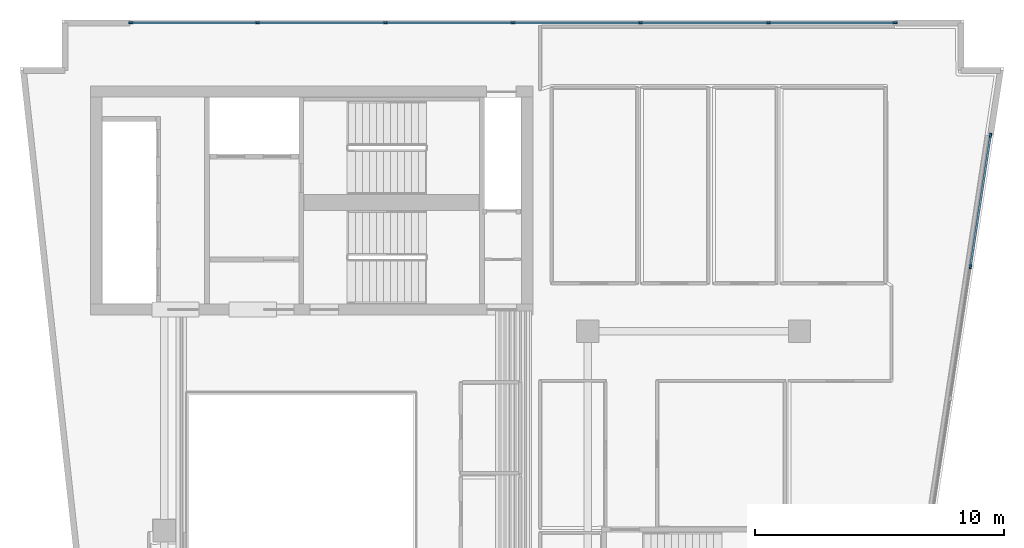
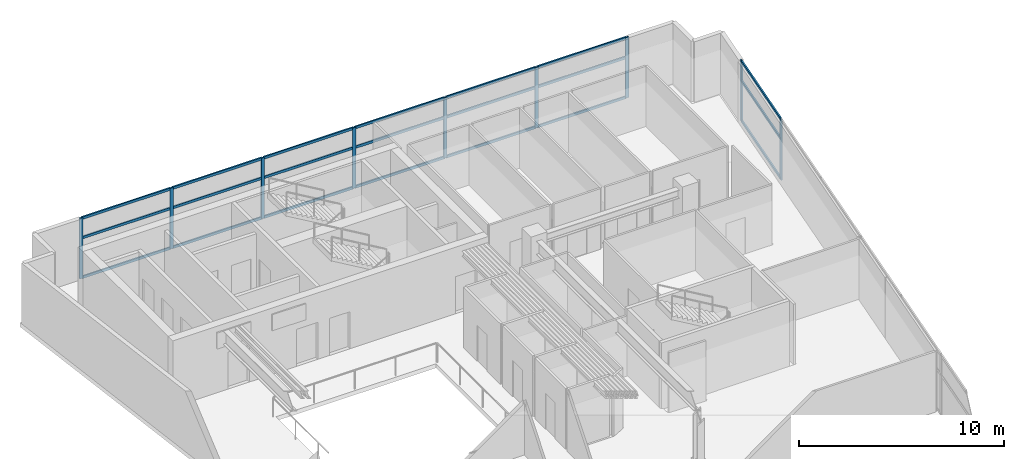
# One storey, part 2 of 8: 30 members, 2 elements without a shape of their own.
"""IFC4 building model written with IfcOpenShell, lengths in metres."""

from ifc_helpers import new_model, si_unit, direction, frame, origin, origin_2d, place, context, subcontext, project, spatial, rectangle, extrude, material, layer, layer_set, material_profile, profile_set, type_object, element, aggregate, save


model = new_model("IFC4")

# Units and contexts
model_context = context("Model", 3, precision=1e-05, world=origin(), true_north=direction((0.0, 1.0)))
body_context = subcontext(model_context, "Body", "Model", "MODEL_VIEW")
ifc_project = project(units=[si_unit("LENGTHUNIT", "METRE"), si_unit("AREAUNIT", "SQUARE_METRE"), si_unit("VOLUMEUNIT", "CUBIC_METRE"), si_unit("PLANEANGLEUNIT", "RADIAN"), si_unit("MASSUNIT", "GRAM", prefix="KILO")], contexts=[model_context])

# Site, building, storey
site_placement = place(None, origin())
site = spatial("IfcSite", under=ifc_project, at=site_placement, CompositionType="ELEMENT")
building_placement = place(site_placement, origin())
building = spatial("IfcBuilding", under=site, at=building_placement, Name="Caeloran Harvest Quay", CompositionType="ELEMENT")
storey_placement = place(building_placement, frame((0.0, 0.0, 246.949951171875)))
storey = spatial("IfcBuildingStorey", under=building, at=storey_placement, Name="L59", CompositionType="ELEMENT", Elevation=246.949951171875)

# Curtain wall, members
ifc_material_1 = material(Name="Aluminium 6063-T6 and Low-E Glazing", Category="aluminium")
ifc_layer = layer(ifc_material_1, 0.219970703125, Name="Aluminium 6063-T6 and Low-E Glazing")
ifc_layer_set = layer_set([ifc_layer], Name="Aluminium 6063-T6 and Low-E Glazing")
curtain_wall_type = type_object("IfcCurtainWallType", Name="CW-SYS-CW-5", PredefinedType="USERDEFINED", material=ifc_layer_set)
curtain_wall_1_placement = place(storey_placement, origin())
curtain_wall_1 = element("IfcCurtainWall", 1, at=curtain_wall_1_placement, inside=storey, type_object=curtain_wall_type, Name="L59 Unitised Curtain Wall CW-5 Run 6", ObjectType="CURTAIN_WALL", PredefinedType="USERDEFINED")
ifc_material_2 = material(Name="Aluminium 6063-T6", Category="aluminium")
ifc_material_profile_1 = material_profile(ifc_material_2, rectangle(XDim=0.080078125, YDim=0.179931640625, at=origin_2d()), Name="CW-MULLION-180")
ifc_profile_set_1 = profile_set([ifc_material_profile_1], Name="Aluminium 6063-T6")
member_type_1 = type_object("IfcMemberType", Name="CW-MULLION-180", PredefinedType="MULLION", material=ifc_profile_set_1)
member_1_placement = place(storey_placement, frame((7.159912109375, 43.3798828125, 0.0), z_axis=(0.0, 0.0, 1.0), x_axis=(0.0, 1.0, 0.0)))
member_1 = element("IfcMember", 2, at=member_1_placement, type_object=member_type_1, Name="CW-5 mullion 1", PredefinedType="MULLION", context=body_context, shape_type="SweptSolid", body=[
    extrude(rectangle(XDim=0.080078125, YDim=0.179931640625, at=origin_2d()), origin(), (0.0, 0.0, 1.0), 3.60009765625),
])
member_2_placement = place(storey_placement, frame((12.24658203125, 43.3798828125, 0.0), z_axis=(0.0, 0.0, 1.0), x_axis=(0.0, 1.0, 0.0)))
member_2 = element("IfcMember", 3, at=member_2_placement, type_object=member_type_1, Name="CW-5 mullion 2", PredefinedType="MULLION", context=body_context, shape_type="SweptSolid", body=[
    extrude(rectangle(XDim=0.080078125, YDim=0.179931640625, at=origin_2d()), origin(), (0.0, 0.0, 1.0), 3.60009765625),
])
member_3_placement = place(storey_placement, frame((17.373291015625, 43.3798828125, 0.0), z_axis=(0.0, 0.0, 1.0), x_axis=(0.0, 1.0, 0.0)))
member_3 = element("IfcMember", 4, at=member_3_placement, type_object=member_type_1, Name="CW-5 mullion 3", PredefinedType="MULLION", context=body_context, shape_type="SweptSolid", body=[
    extrude(rectangle(XDim=0.080078125, YDim=0.179931640625, at=origin_2d()), origin(), (0.0, 0.0, 1.0), 3.60009765625),
])
member_4_placement = place(storey_placement, frame((22.5, 43.3798828125, 0.0), z_axis=(0.0, 0.0, 1.0), x_axis=(0.0, 1.0, 0.0)))
member_4 = element("IfcMember", 5, at=member_4_placement, type_object=member_type_1, Name="CW-5 mullion 4", PredefinedType="MULLION", context=body_context, shape_type="SweptSolid", body=[
    extrude(rectangle(XDim=0.080078125, YDim=0.179931640625, at=origin_2d()), origin(), (0.0, 0.0, 1.0), 3.60009765625),
])
member_5_placement = place(storey_placement, frame((27.626708984375, 43.3798828125, 0.0), z_axis=(0.0, 0.0, 1.0), x_axis=(0.0, 1.0, 0.0)))
member_5 = element("IfcMember", 6, at=member_5_placement, type_object=member_type_1, Name="CW-5 mullion 5", PredefinedType="MULLION", context=body_context, shape_type="SweptSolid", body=[
    extrude(rectangle(XDim=0.080078125, YDim=0.179931640625, at=origin_2d()), origin(), (0.0, 0.0, 1.0), 3.60009765625),
])
member_6_placement = place(storey_placement, frame((32.75341796875, 43.3798828125, 0.0), z_axis=(0.0, 0.0, 1.0), x_axis=(0.0, 1.0, 0.0)))
member_6 = element("IfcMember", 7, at=member_6_placement, type_object=member_type_1, Name="CW-5 mullion 6", PredefinedType="MULLION", context=body_context, shape_type="SweptSolid", body=[
    extrude(rectangle(XDim=0.080078125, YDim=0.179931640625, at=origin_2d()), origin(), (0.0, 0.0, 1.0), 3.60009765625),
])
member_7_placement = place(storey_placement, frame((37.840087890625, 43.3798828125, 0.0), z_axis=(0.0, 0.0, 1.0), x_axis=(0.0, 1.0, 0.0)))
member_7 = element("IfcMember", 8, at=member_7_placement, type_object=member_type_1, Name="CW-5 mullion 7", PredefinedType="MULLION", context=body_context, shape_type="SweptSolid", body=[
    extrude(rectangle(XDim=0.080078125, YDim=0.179931640625, at=origin_2d()), origin(), (0.0, 0.0, 1.0), 3.60009765625),
])

curtain_wall_2_placement = place(storey_placement, origin())
curtain_wall_2 = element("IfcCurtainWall", 9, at=curtain_wall_2_placement, inside=storey, type_object=curtain_wall_type, Name="L59 Unitised Curtain Wall CW-5 Run 9", ObjectType="CURTAIN_WALL", PredefinedType="USERDEFINED")
member_8_placement = place(storey_placement, frame((41.671142578125, 38.870361328125, 0.0), z_axis=(0.0, 0.0, 1.0), x_axis=(0.988529547698, -0.151027591278, 0.0)))
member_8 = element("IfcMember", 10, at=member_8_placement, type_object=member_type_1, Name="CW-5 mullion 1", PredefinedType="MULLION", context=body_context, shape_type="SweptSolid", body=[
    extrude(rectangle(XDim=0.080078125, YDim=0.179931640625, at=origin_2d()), origin(), (0.0, 0.0, 1.0), 3.60009765625),
])
member_9_placement = place(storey_placement, frame((40.8671875, 33.6064453125, 0.0), z_axis=(0.0, 0.0, 1.0), x_axis=(0.988529547698, -0.151027591278, 0.0)))
member_9 = element("IfcMember", 11, at=member_9_placement, type_object=member_type_1, Name="CW-5 mullion 2", PredefinedType="MULLION", context=body_context, shape_type="SweptSolid", body=[
    extrude(rectangle(XDim=0.080078125, YDim=0.179931640625, at=origin_2d()), origin(), (0.0, 0.0, 1.0), 3.60009765625),
])

# Member
ifc_material_profile_2 = material_profile(ifc_material_2, rectangle(XDim=0.080078125, YDim=0.14990234375, at=origin_2d()), Name="CW-TRANSOM-150")
ifc_profile_set_2 = profile_set([ifc_material_profile_2], Name="Aluminium 6063-T6")
member_type_2 = type_object("IfcMemberType", Name="CW-TRANSOM-150", PredefinedType="USERDEFINED", material=ifc_profile_set_2)
member_10_placement = place(storey_placement, frame((7.199951171875, 43.3798828125, 0.0400390625), z_axis=(1.0, 0.0, 0.0), x_axis=(0.0, 1.0, 0.0)))
member_10 = element("IfcMember", 12, at=member_10_placement, type_object=member_type_2, Name="CW-5 transom 1.1", ObjectType="TRANSOM", PredefinedType="USERDEFINED", context=body_context, shape_type="SweptSolid", body=[
    extrude(rectangle(XDim=0.080078125, YDim=0.14990234375, at=origin_2d()), origin(), (0.0, 0.0, 1.0), 5.0068359375),
])

member_11_placement = place(storey_placement, frame((7.199951171875, 43.3798828125, 2.400146484375), z_axis=(1.0, 0.0, 0.0), x_axis=(0.0, 1.0, 0.0)))
member_11 = element("IfcMember", 13, at=member_11_placement, type_object=member_type_2, Name="CW-5 transom 1.2", ObjectType="TRANSOM", PredefinedType="USERDEFINED", context=body_context, shape_type="SweptSolid", body=[
    extrude(rectangle(XDim=0.080078125, YDim=0.14990234375, at=origin_2d()), origin(), (0.0, 0.0, 1.0), 5.0068359375),
])

member_12_placement = place(storey_placement, frame((7.199951171875, 43.3798828125, 3.56005859375), z_axis=(1.0, 0.0, 0.0), x_axis=(0.0, 1.0, 0.0)))
member_12 = element("IfcMember", 14, at=member_12_placement, type_object=member_type_2, Name="CW-5 transom 1.3", ObjectType="TRANSOM", PredefinedType="USERDEFINED", context=body_context, shape_type="SweptSolid", body=[
    extrude(rectangle(XDim=0.080078125, YDim=0.14990234375, at=origin_2d()), origin(), (0.0, 0.0, 1.0), 5.0068359375),
])

member_13_placement = place(storey_placement, frame((12.28662109375, 43.3798828125, 0.0400390625), z_axis=(1.0, 0.0, 0.0), x_axis=(0.0, 1.0, 0.0)))
member_13 = element("IfcMember", 15, at=member_13_placement, type_object=member_type_2, Name="CW-5 transom 2.1", ObjectType="TRANSOM", PredefinedType="USERDEFINED", context=body_context, shape_type="SweptSolid", body=[
    extrude(rectangle(XDim=0.080078125, YDim=0.14990234375, at=origin_2d()), origin(), (0.0, 0.0, 1.0), 5.046630859375),
])

member_14_placement = place(storey_placement, frame((12.28662109375, 43.3798828125, 2.400146484375), z_axis=(1.0, 0.0, 0.0), x_axis=(0.0, 1.0, 0.0)))
member_14 = element("IfcMember", 16, at=member_14_placement, type_object=member_type_2, Name="CW-5 transom 2.2", ObjectType="TRANSOM", PredefinedType="USERDEFINED", context=body_context, shape_type="SweptSolid", body=[
    extrude(rectangle(XDim=0.080078125, YDim=0.14990234375, at=origin_2d()), origin(), (0.0, 0.0, 1.0), 5.046630859375),
])

member_15_placement = place(storey_placement, frame((12.28662109375, 43.3798828125, 3.56005859375), z_axis=(1.0, 0.0, 0.0), x_axis=(0.0, 1.0, 0.0)))
member_15 = element("IfcMember", 17, at=member_15_placement, type_object=member_type_2, Name="CW-5 transom 2.3", ObjectType="TRANSOM", PredefinedType="USERDEFINED", context=body_context, shape_type="SweptSolid", body=[
    extrude(rectangle(XDim=0.080078125, YDim=0.14990234375, at=origin_2d()), origin(), (0.0, 0.0, 1.0), 5.046630859375),
])

member_16_placement = place(storey_placement, frame((17.413330078125, 43.3798828125, 0.0400390625), z_axis=(1.0, 0.0, 0.0), x_axis=(0.0, 1.0, 0.0)))
member_16 = element("IfcMember", 18, at=member_16_placement, type_object=member_type_2, Name="CW-5 transom 3.1", ObjectType="TRANSOM", PredefinedType="USERDEFINED", context=body_context, shape_type="SweptSolid", body=[
    extrude(rectangle(XDim=0.080078125, YDim=0.14990234375, at=origin_2d()), origin(), (0.0, 0.0, 1.0), 5.046630859375),
])

member_17_placement = place(storey_placement, frame((17.413330078125, 43.3798828125, 2.400146484375), z_axis=(1.0, 0.0, 0.0), x_axis=(0.0, 1.0, 0.0)))
member_17 = element("IfcMember", 19, at=member_17_placement, type_object=member_type_2, Name="CW-5 transom 3.2", ObjectType="TRANSOM", PredefinedType="USERDEFINED", context=body_context, shape_type="SweptSolid", body=[
    extrude(rectangle(XDim=0.080078125, YDim=0.14990234375, at=origin_2d()), origin(), (0.0, 0.0, 1.0), 5.046630859375),
])

member_18_placement = place(storey_placement, frame((17.413330078125, 43.3798828125, 3.56005859375), z_axis=(1.0, 0.0, 0.0), x_axis=(0.0, 1.0, 0.0)))
member_18 = element("IfcMember", 20, at=member_18_placement, type_object=member_type_2, Name="CW-5 transom 3.3", ObjectType="TRANSOM", PredefinedType="USERDEFINED", context=body_context, shape_type="SweptSolid", body=[
    extrude(rectangle(XDim=0.080078125, YDim=0.14990234375, at=origin_2d()), origin(), (0.0, 0.0, 1.0), 5.046630859375),
])

member_19_placement = place(storey_placement, frame((22.5400390625, 43.3798828125, 0.0400390625), z_axis=(1.0, 0.0, 0.0), x_axis=(0.0, 1.0, 0.0)))
member_19 = element("IfcMember", 21, at=member_19_placement, type_object=member_type_2, Name="CW-5 transom 4.1", ObjectType="TRANSOM", PredefinedType="USERDEFINED", context=body_context, shape_type="SweptSolid", body=[
    extrude(rectangle(XDim=0.080078125, YDim=0.14990234375, at=origin_2d()), origin(), (0.0, 0.0, 1.0), 5.046630859375),
])

member_20_placement = place(storey_placement, frame((22.5400390625, 43.3798828125, 2.400146484375), z_axis=(1.0, 0.0, 0.0), x_axis=(0.0, 1.0, 0.0)))
member_20 = element("IfcMember", 22, at=member_20_placement, type_object=member_type_2, Name="CW-5 transom 4.2", ObjectType="TRANSOM", PredefinedType="USERDEFINED", context=body_context, shape_type="SweptSolid", body=[
    extrude(rectangle(XDim=0.080078125, YDim=0.14990234375, at=origin_2d()), origin(), (0.0, 0.0, 1.0), 5.046630859375),
])

member_21_placement = place(storey_placement, frame((22.5400390625, 43.3798828125, 3.56005859375), z_axis=(1.0, 0.0, 0.0), x_axis=(0.0, 1.0, 0.0)))
member_21 = element("IfcMember", 23, at=member_21_placement, type_object=member_type_2, Name="CW-5 transom 4.3", ObjectType="TRANSOM", PredefinedType="USERDEFINED", context=body_context, shape_type="SweptSolid", body=[
    extrude(rectangle(XDim=0.080078125, YDim=0.14990234375, at=origin_2d()), origin(), (0.0, 0.0, 1.0), 5.046630859375),
])

member_22_placement = place(storey_placement, frame((27.666748046875, 43.3798828125, 0.0400390625), z_axis=(1.0, 0.0, 0.0), x_axis=(0.0, 1.0, 0.0)))
member_22 = element("IfcMember", 24, at=member_22_placement, type_object=member_type_2, Name="CW-5 transom 5.1", ObjectType="TRANSOM", PredefinedType="USERDEFINED", context=body_context, shape_type="SweptSolid", body=[
    extrude(rectangle(XDim=0.080078125, YDim=0.14990234375, at=origin_2d()), origin(), (0.0, 0.0, 1.0), 5.046630859375),
])

member_23_placement = place(storey_placement, frame((27.666748046875, 43.3798828125, 2.400146484375), z_axis=(1.0, 0.0, 0.0), x_axis=(0.0, 1.0, 0.0)))
member_23 = element("IfcMember", 25, at=member_23_placement, type_object=member_type_2, Name="CW-5 transom 5.2", ObjectType="TRANSOM", PredefinedType="USERDEFINED", context=body_context, shape_type="SweptSolid", body=[
    extrude(rectangle(XDim=0.080078125, YDim=0.14990234375, at=origin_2d()), origin(), (0.0, 0.0, 1.0), 5.046630859375),
])

member_24_placement = place(storey_placement, frame((27.666748046875, 43.3798828125, 3.56005859375), z_axis=(1.0, 0.0, 0.0), x_axis=(0.0, 1.0, 0.0)))
member_24 = element("IfcMember", 26, at=member_24_placement, type_object=member_type_2, Name="CW-5 transom 5.3", ObjectType="TRANSOM", PredefinedType="USERDEFINED", context=body_context, shape_type="SweptSolid", body=[
    extrude(rectangle(XDim=0.080078125, YDim=0.14990234375, at=origin_2d()), origin(), (0.0, 0.0, 1.0), 5.046630859375),
])

member_25_placement = place(storey_placement, frame((32.793212890625, 43.3798828125, 0.0400390625), z_axis=(1.0, 0.0, 0.0), x_axis=(0.0, 1.0, 0.0)))
member_25 = element("IfcMember", 27, at=member_25_placement, type_object=member_type_2, Name="CW-5 transom 6.1", ObjectType="TRANSOM", PredefinedType="USERDEFINED", context=body_context, shape_type="SweptSolid", body=[
    extrude(rectangle(XDim=0.080078125, YDim=0.14990234375, at=origin_2d()), origin(), (0.0, 0.0, 1.0), 5.0068359375),
])

member_26_placement = place(storey_placement, frame((32.793212890625, 43.3798828125, 2.400146484375), z_axis=(1.0, 0.0, 0.0), x_axis=(0.0, 1.0, 0.0)))
member_26 = element("IfcMember", 28, at=member_26_placement, type_object=member_type_2, Name="CW-5 transom 6.2", ObjectType="TRANSOM", PredefinedType="USERDEFINED", context=body_context, shape_type="SweptSolid", body=[
    extrude(rectangle(XDim=0.080078125, YDim=0.14990234375, at=origin_2d()), origin(), (0.0, 0.0, 1.0), 5.0068359375),
])

member_27_placement = place(storey_placement, frame((32.793212890625, 43.3798828125, 3.56005859375), z_axis=(1.0, 0.0, 0.0), x_axis=(0.0, 1.0, 0.0)))
member_27 = element("IfcMember", 29, at=member_27_placement, type_object=member_type_2, Name="CW-5 transom 6.3", ObjectType="TRANSOM", PredefinedType="USERDEFINED", context=body_context, shape_type="SweptSolid", body=[
    extrude(rectangle(XDim=0.080078125, YDim=0.14990234375, at=origin_2d()), origin(), (0.0, 0.0, 1.0), 5.0068359375),
])

aggregate(curtain_wall_1, [member_1, member_2, member_3, member_4, member_5, member_6, member_7, member_10, member_11, member_12, member_13, member_14, member_15, member_16, member_17, member_18, member_19, member_20, member_21, member_22, member_23, member_24, member_25, member_26, member_27])

member_28_placement = place(storey_placement, frame((41.665283203125, 38.830810546875, 0.0400390625), z_axis=(-0.151046246318, -0.9885266974, 0.0), x_axis=(0.9885266974, -0.151046246318, 0.0)))
member_28 = element("IfcMember", 30, at=member_28_placement, type_object=member_type_2, Name="CW-5 transom 1.1", ObjectType="TRANSOM", PredefinedType="USERDEFINED", context=body_context, shape_type="SweptSolid", body=[
    extrude(rectangle(XDim=0.080078125, YDim=0.14990234375, at=origin_2d()), origin(), (0.0, 0.0, 1.0), 5.244873046875),
])

member_29_placement = place(storey_placement, frame((41.665283203125, 38.830810546875, 2.400146484375), z_axis=(-0.151046246318, -0.9885266974, 0.0), x_axis=(0.9885266974, -0.151046246318, 0.0)))
member_29 = element("IfcMember", 31, at=member_29_placement, type_object=member_type_2, Name="CW-5 transom 1.2", ObjectType="TRANSOM", PredefinedType="USERDEFINED", context=body_context, shape_type="SweptSolid", body=[
    extrude(rectangle(XDim=0.080078125, YDim=0.14990234375, at=origin_2d()), origin(), (0.0, 0.0, 1.0), 5.244873046875),
])

member_30_placement = place(storey_placement, frame((41.665283203125, 38.830810546875, 3.56005859375), z_axis=(-0.151046246318, -0.9885266974, 0.0), x_axis=(0.9885266974, -0.151046246318, 0.0)))
member_30 = element("IfcMember", 32, at=member_30_placement, type_object=member_type_2, Name="CW-5 transom 1.3", ObjectType="TRANSOM", PredefinedType="USERDEFINED", context=body_context, shape_type="SweptSolid", body=[
    extrude(rectangle(XDim=0.080078125, YDim=0.14990234375, at=origin_2d()), origin(), (0.0, 0.0, 1.0), 5.244873046875),
])

aggregate(curtain_wall_2, [member_8, member_9, member_28, member_29, member_30])

save(model, "model.ifc")
